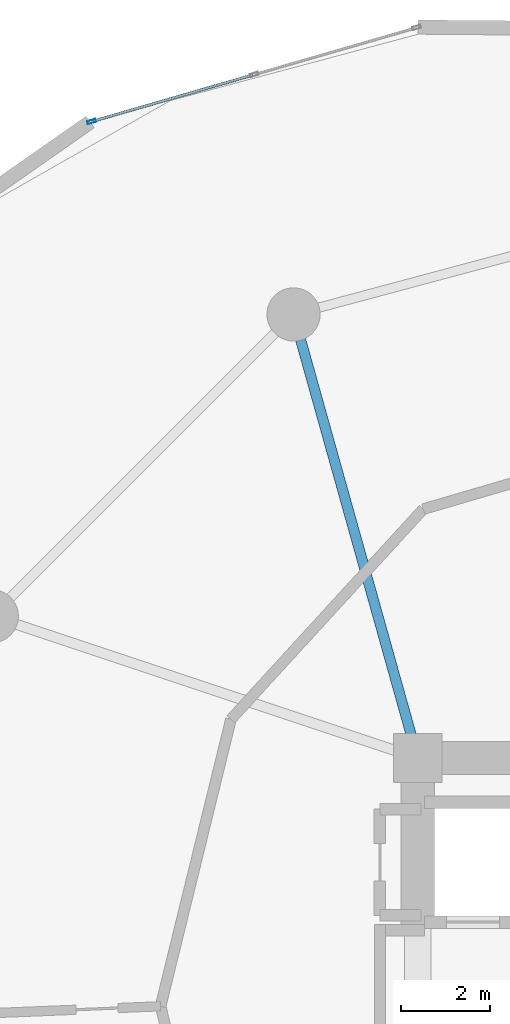
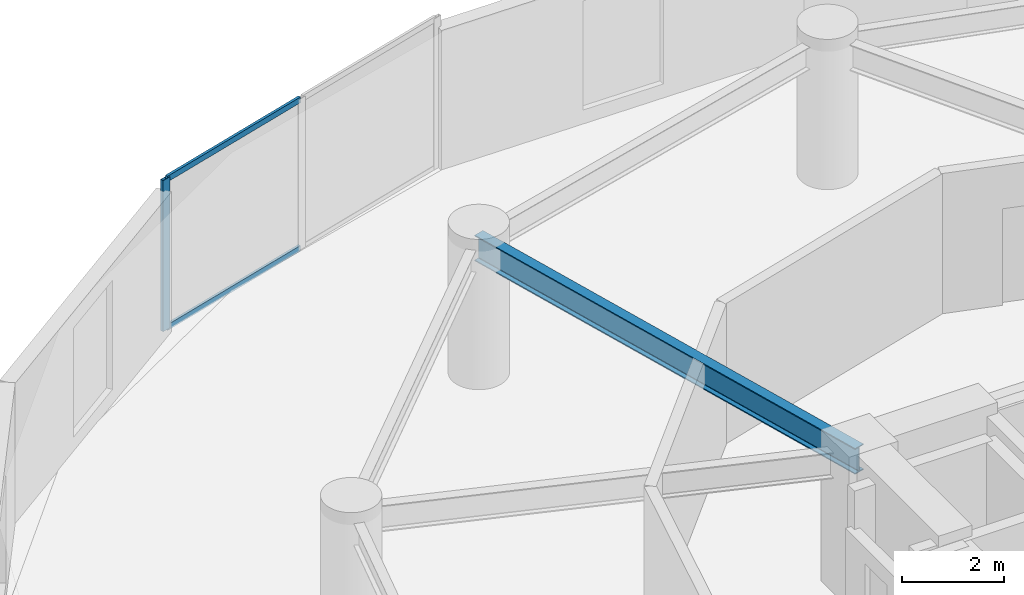
# One storey, part 14 of 24: 3 members, 1 beam, 1 element without a shape of its own.
"""IFC4 building model written with IfcOpenShell, lengths in metres."""

from ifc_helpers import new_model, si_unit, direction, frame, origin, origin_2d, place, context, subcontext, project, spatial, hollow_rectangle, i_section, extrude, source, transform, mapped, material, layer, layer_set, material_profile, profile_set, type_object, element, aggregate, save


model = new_model("IFC4")

# Units and contexts
model_context = context("Model", 3, precision=1e-05, world=origin(), true_north=direction((0.0, 1.0)))
body_context = subcontext(model_context, "Body", "Model", "MODEL_VIEW")
ifc_project = project(units=[si_unit("LENGTHUNIT", "METRE"), si_unit("AREAUNIT", "SQUARE_METRE"), si_unit("VOLUMEUNIT", "CUBIC_METRE"), si_unit("PLANEANGLEUNIT", "RADIAN"), si_unit("MASSUNIT", "GRAM", prefix="KILO")], contexts=[model_context])

# Site, building, storey
site_placement = place(None, origin())
site = spatial("IfcSite", under=ifc_project, at=site_placement, CompositionType="ELEMENT")
building_placement = place(site_placement, origin())
building = spatial("IfcBuilding", under=site, at=building_placement, Name="Solvirekh Grand Hotel", CompositionType="ELEMENT")
storey_placement = place(building_placement, frame((0.0, 0.0, 82.39990234375)))
storey = spatial("IfcBuildingStorey", under=building, at=storey_placement, Name="L20", CompositionType="ELEMENT", Elevation=82.39990234375)

# Beam
ifc_material_1 = material(Name="Steel S355", Category="steel")
ifc_material_profile_1 = material_profile(ifc_material_1, i_section(OverallWidth=0.22998046875, OverallDepth=0.615966796875, WebThickness=0.013916015625, FlangeThickness=0.02392578125, FilletRadius=0.014892578125, at=origin_2d()), Name="W610X174")
ifc_profile_set_1 = profile_set([ifc_material_profile_1], Name="Steel S355")
beam_type = type_object("IfcBeamType", Name="Beam_Primary_W610H", PredefinedType="BEAM", material=ifc_profile_set_1)
beam_placement = place(storey_placement, frame((-6.5, 6.10009765625, 3.031982421875), z_axis=(-0.269439084681, 0.963017434757, 0.0), x_axis=(-0.963017434757, -0.269439084681, 0.0)))
element("IfcBeam", 1, at=beam_placement, inside=storey, type_object=beam_type, Name="L20 radial floor beam R05", PredefinedType="BEAM", context=body_context, shape_type="SweptSolid", body=[
    extrude(i_section(OverallWidth=0.22998046875, OverallDepth=0.615966796875, WebThickness=0.013916015625, FlangeThickness=0.02392578125, FilletRadius=0.014892578125, at=origin_2d()), origin(), (0.0, 0.0, 1.0), 10.39208984375),
])

# Curtain wall, members
ifc_material_2 = material(Name="Anodized Bronze Aluminium 6063-T6", Category="aluminium")
ifc_layer = layer(ifc_material_2, 0.18994140625)
ifc_layer_set = layer_set([ifc_layer], Name="Anodized Bronze Aluminium 6063-T6")
curtain_wall_type = type_object("IfcCurtainWallType", Name="CW_Sys2_LowZoneFlushBronzeCW", PredefinedType="NOTDEFINED", material=ifc_layer_set)
curtain_wall_placement = place(storey_placement, origin())
curtain_wall = element("IfcCurtainWall", 2, at=curtain_wall_placement, inside=storey, type_object=curtain_wall_type, Name="L20 unitised bronze-glass curtain wall CW-L20-C08", PredefinedType="NOTDEFINED")
ifc_material_profile_2 = material_profile(ifc_material_2, hollow_rectangle(XDim=0.070068359375, YDim=0.18994140625, WallThickness=0.0048828125, at=origin_2d()), Name="ALU RHS 190X70X5")
ifc_profile_set_2 = profile_set([ifc_material_profile_2], Name="Anodized Bronze Aluminium 6063-T6")
member_type_1 = type_object("IfcMemberType", Name="CWMullion_Sys2", PredefinedType="MULLION", material=ifc_profile_set_2)
shared_shape_1 = source(origin(), body_context, "Body", "SweptSolid", [
    extrude(hollow_rectangle(XDim=0.070068359375, YDim=0.18994140625, WallThickness=0.0048828125, at=origin_2d()), origin(), (0.0, 0.0, 1.0), 3.60009765625),
])
member_1_placement = place(storey_placement, frame((-13.8564453125, 20.458740234375, 0.0), z_axis=(0.0, 0.0, 1.0), x_axis=(0.277856394995, -0.960622622969, 0.0)))
member_1 = element("IfcMember", 3, at=member_1_placement, type_object=member_type_1, Name="U02 mullion 3", PredefinedType="MULLION", context=body_context, shape_type="MappedRepresentation", body=[
    mapped(shared_shape_1, transform((0.0, 0.0, 0.0), x_axis=(1.0, 0.0, 0.0), y_axis=(0.0, 1.0, 0.0), z_axis=(0.0, 0.0, 1.0), scale=1.0)),
])
ifc_material_profile_3 = material_profile(ifc_material_2, hollow_rectangle(XDim=0.06005859375, YDim=0.135009765625, WallThickness=0.00390625, at=origin_2d()), Name="ALU RHS 135X60X4")
ifc_profile_set_3 = profile_set([ifc_material_profile_3], Name="Anodized Bronze Aluminium 6063-T6")
member_type_2 = type_object("IfcMemberType", Name="CWTransom_Sys2", PredefinedType="USERDEFINED", material=ifc_profile_set_3)
shared_shape_2 = source(origin(), body_context, "Body", "SweptSolid", [
    extrude(hollow_rectangle(XDim=0.06005859375, YDim=0.135009765625, WallThickness=0.00390625, at=origin_2d()), origin(), (0.0, 0.0, 1.0), 3.74755859375),
])
member_2_placement = place(storey_placement, frame((-10.22265625, 21.509765625, 0.030029296875), z_axis=(-0.96062651301, -0.277842945747, 0.0), x_axis=(0.277842945747, -0.96062651301, 0.0)))
member_2 = element("IfcMember", 4, at=member_2_placement, type_object=member_type_2, Name="U02 transom 2.1", ObjectType="TRANSOM", PredefinedType="USERDEFINED", context=body_context, shape_type="MappedRepresentation", body=[
    mapped(shared_shape_2, transform((0.0, 0.0, 0.0), x_axis=(1.0, 0.0, 0.0), y_axis=(0.0, 1.0, 0.0), z_axis=(0.0, 0.0, 1.0), scale=1.0)),
])
member_3_placement = place(storey_placement, frame((-10.22265625, 21.509765625, 3.570068359375), z_axis=(-0.96062651301, -0.277842945747, 0.0), x_axis=(0.277842945747, -0.96062651301, 0.0)))
member_3 = element("IfcMember", 5, at=member_3_placement, type_object=member_type_2, Name="U02 transom 2.2", ObjectType="TRANSOM", PredefinedType="USERDEFINED", context=body_context, shape_type="MappedRepresentation", body=[
    mapped(shared_shape_2, transform((0.0, 0.0, 0.0), x_axis=(1.0, 0.0, 0.0), y_axis=(0.0, 1.0, 0.0), z_axis=(0.0, 0.0, 1.0), scale=1.0)),
])
aggregate(curtain_wall, [member_1, member_2, member_3])

save(model, "model.ifc")
